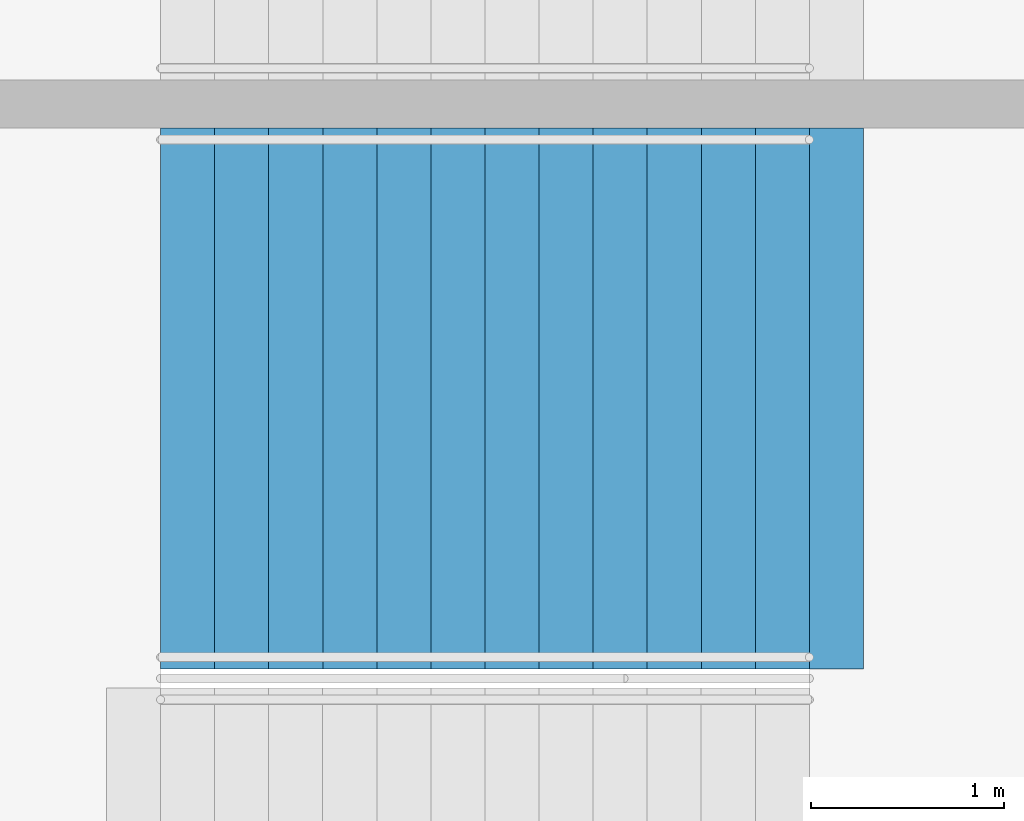
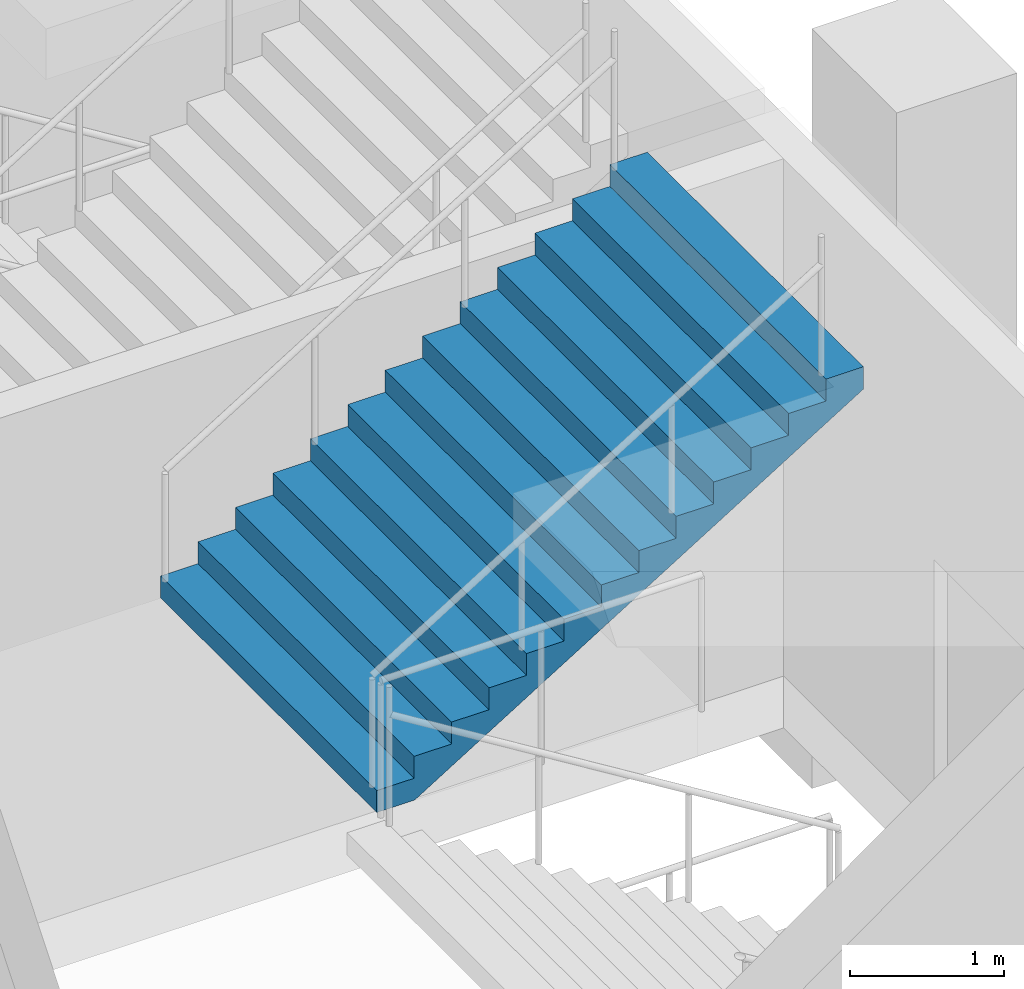
# One storey, part 109 of 177: 1 stair flight, 1 element without a shape of its own.
"""IFC4 building model written with IfcOpenShell, lengths in metres."""

from ifc_helpers import new_model, si_unit, direction, frame, origin, place, context, subcontext, project, spatial, faceted_brep, material, type_object, element, aggregate, save


model = new_model("IFC4")

# Units and contexts
model_context = context("Model", 3, precision=1e-05, world=origin(), true_north=direction((0.0, 1.0)))
body_context = subcontext(model_context, "Body", "Model", "MODEL_VIEW")
ifc_project = project(units=[si_unit("LENGTHUNIT", "METRE"), si_unit("AREAUNIT", "SQUARE_METRE"), si_unit("VOLUMEUNIT", "CUBIC_METRE"), si_unit("PLANEANGLEUNIT", "RADIAN"), si_unit("MASSUNIT", "GRAM", prefix="KILO")], contexts=[model_context])

# Site, building, storey
site_placement = place(None, origin())
site = spatial("IfcSite", under=ifc_project, at=site_placement, CompositionType="ELEMENT")
building_placement = place(site_placement, origin())
building = spatial("IfcBuilding", under=site, at=building_placement, Name="Ogive Plaza Stadium", CompositionType="ELEMENT")
storey_placement = place(building_placement, frame((0.0, 0.0, 18.0)))
storey = spatial("IfcBuildingStorey", under=building, at=storey_placement, Name="L04", CompositionType="ELEMENT", Elevation=18.0)

# Stair, stair flight
ifc_material_1 = material(Name="Concrete C40/50", Category="concrete")
stair_type = type_object("IfcStairType", Name="Exit stair", PredefinedType="STRAIGHT_RUN_STAIR", material=ifc_material_1)
stair_placement = place(storey_placement, origin())
stair = element("IfcStair", 1, at=stair_placement, inside=storey, type_object=stair_type, Name="Exit stair ST24B L04 to L05", PredefinedType="STRAIGHT_RUN_STAIR")
ifc_material_2 = material(Name="Concrete C40/50", Category="concrete")
stair_flight_type = type_object("IfcStairFlightType", Name="Exit stair flight", PredefinedType="STRAIGHT", material=ifc_material_2)
stair_flight_placement = place(storey_placement, frame((-79.7099609375, -9.02490234375, 2.25), z_axis=(0.0, 0.0, 1.0), x_axis=(1.0, 0.0, 0.0)))
stair_flight = element("IfcStairFlight", 2, at=stair_flight_placement, type_object=stair_flight_type, Name="ST24B flight 2", NumberOfRisers=13, NumberOfTreads=12, PredefinedType="STRAIGHT", RiserHeight=0.173076923, TreadLength=0.28, context=body_context, shape_type="Brep", body=[
    faceted_brep([(0.28515625, -1.39990234375, 0.0), (3.639892578125, -1.39990234375, 2.07373046875), (3.639892578125, -1.39990234375, 2.25), (3.360107421875, -1.39990234375, 2.25), (3.360107421875, -1.39990234375, 2.076904296875), (3.080078125, -1.39990234375, 2.076904296875), (3.080078125, -1.39990234375, 1.90380859375), (2.800048828125, -1.39990234375, 1.90380859375), (2.800048828125, -1.39990234375, 1.730712890625), (2.52001953125, -1.39990234375, 1.730712890625), (2.52001953125, -1.39990234375, 1.5576171875), (2.239990234375, -1.39990234375, 1.5576171875), (2.239990234375, -1.39990234375, 1.384521484375), (1.9599609375, -1.39990234375, 1.384521484375), (1.9599609375, -1.39990234375, 1.21142578125), (1.679931640625, -1.39990234375, 1.21142578125), (1.679931640625, -1.39990234375, 1.03857421875), (1.39990234375, -1.39990234375, 1.03857421875), (1.39990234375, -1.39990234375, 0.865478515625), (1.1201171875, -1.39990234375, 0.865478515625), (1.1201171875, -1.39990234375, 0.6923828125), (0.840087890625, -1.39990234375, 0.6923828125), (0.840087890625, -1.39990234375, 0.519287109375), (0.56005859375, -1.39990234375, 0.519287109375), (0.56005859375, -1.39990234375, 0.34619140625), (0.280029296875, -1.39990234375, 0.34619140625), (0.280029296875, -1.39990234375, 0.173095703125), (0.0, -1.39990234375, 0.173095703125), (0.0, -1.39990234375, 0.0), (0.0, 1.39990234375, 0.0), (0.0, 1.39990234375, 0.173095703125), (0.280029296875, 1.39990234375, 0.173095703125), (0.280029296875, 1.39990234375, 0.34619140625), (0.56005859375, 1.39990234375, 0.34619140625), (0.56005859375, 1.39990234375, 0.519287109375), (0.840087890625, 1.39990234375, 0.519287109375), (0.840087890625, 1.39990234375, 0.6923828125), (1.1201171875, 1.39990234375, 0.6923828125), (1.1201171875, 1.39990234375, 0.865478515625), (1.39990234375, 1.39990234375, 0.865478515625), (1.39990234375, 1.39990234375, 1.03857421875), (1.679931640625, 1.39990234375, 1.03857421875), (1.679931640625, 1.39990234375, 1.21142578125), (1.9599609375, 1.39990234375, 1.21142578125), (1.9599609375, 1.39990234375, 1.384521484375), (2.239990234375, 1.39990234375, 1.384521484375), (2.239990234375, 1.39990234375, 1.5576171875), (2.52001953125, 1.39990234375, 1.5576171875), (2.52001953125, 1.39990234375, 1.730712890625), (2.800048828125, 1.39990234375, 1.730712890625), (2.800048828125, 1.39990234375, 1.90380859375), (3.080078125, 1.39990234375, 1.90380859375), (3.080078125, 1.39990234375, 2.076904296875), (3.360107421875, 1.39990234375, 2.076904296875), (3.360107421875, 1.39990234375, 2.25), (3.639892578125, 1.39990234375, 2.25), (3.639892578125, 1.39990234375, 2.07373046875), (0.28515625, 1.39990234375, 0.0), (0.28515625, -1.0888671875, 0.0), (3.639892578125, -1.0888671875, 2.07373046875), (0.28515625, -0.77783203125, 0.0), (3.639892578125, -0.77783203125, 2.07373046875), (0.28515625, -0.466796875, 0.0), (3.639892578125, -0.466796875, 2.07373046875), (0.28515625, -0.155517578125, 0.0), (3.639892578125, -0.155517578125, 2.07373046875), (0.28515625, 0.155517578125, 0.0), (3.639892578125, 0.155517578125, 2.07373046875), (0.28515625, 0.466796875, 0.0), (3.639892578125, 0.466796875, 2.07373046875), (0.28515625, 0.77783203125, 0.0), (3.639892578125, 0.77783203125, 2.07373046875), (0.28515625, 1.0888671875, 0.0), (3.639892578125, 1.0888671875, 2.07373046875), (3.639892578125, -1.0888671875, 2.25), (3.639892578125, -0.77783203125, 2.25), (3.639892578125, -0.466796875, 2.25), (3.639892578125, -0.155517578125, 2.25), (3.639892578125, 0.155517578125, 2.25), (3.639892578125, 0.466796875, 2.25), (3.639892578125, 0.77783203125, 2.25), (3.639892578125, 1.0888671875, 2.25), (3.360107421875, -1.0888671875, 2.25), (3.360107421875, -0.77783203125, 2.25), (3.360107421875, -0.466796875, 2.25), (3.360107421875, -0.155517578125, 2.25), (3.360107421875, 0.155517578125, 2.25), (3.360107421875, 0.466796875, 2.25), (3.360107421875, 0.77783203125, 2.25), (3.360107421875, 1.0888671875, 2.25), (3.360107421875, -1.0888671875, 2.076904296875), (3.360107421875, -0.77783203125, 2.076904296875), (3.360107421875, -0.466796875, 2.076904296875), (3.360107421875, -0.155517578125, 2.076904296875), (3.360107421875, 0.155517578125, 2.076904296875), (3.360107421875, 0.466796875, 2.076904296875), (3.360107421875, 0.77783203125, 2.076904296875), (3.360107421875, 1.0888671875, 2.076904296875), (3.080078125, -1.0888671875, 2.076904296875), (3.080078125, -0.77783203125, 2.076904296875), (3.080078125, -0.466796875, 2.076904296875), (3.080078125, -0.155517578125, 2.076904296875), (3.080078125, 0.155517578125, 2.076904296875), (3.080078125, 0.466796875, 2.076904296875), (3.080078125, 0.77783203125, 2.076904296875), (3.080078125, 1.0888671875, 2.076904296875), (3.080078125, -1.0888671875, 1.90380859375), (3.080078125, -0.77783203125, 1.90380859375), (3.080078125, -0.466796875, 1.90380859375), (3.080078125, -0.155517578125, 1.90380859375), (3.080078125, 0.155517578125, 1.90380859375), (3.080078125, 0.466796875, 1.90380859375), (3.080078125, 0.77783203125, 1.90380859375), (3.080078125, 1.0888671875, 1.90380859375), (2.800048828125, -1.0888671875, 1.90380859375), (2.800048828125, -0.77783203125, 1.90380859375), (2.800048828125, -0.466796875, 1.90380859375), (2.800048828125, -0.155517578125, 1.90380859375), (2.800048828125, 0.155517578125, 1.90380859375), (2.800048828125, 0.466796875, 1.90380859375), (2.800048828125, 0.77783203125, 1.90380859375), (2.800048828125, 1.0888671875, 1.90380859375), (2.800048828125, -1.0888671875, 1.730712890625), (2.800048828125, -0.77783203125, 1.730712890625), (2.800048828125, -0.466796875, 1.730712890625), (2.800048828125, -0.155517578125, 1.730712890625), (2.800048828125, 0.155517578125, 1.730712890625), (2.800048828125, 0.466796875, 1.730712890625), (2.800048828125, 0.77783203125, 1.730712890625), (2.800048828125, 1.0888671875, 1.730712890625), (2.52001953125, -1.0888671875, 1.730712890625), (2.52001953125, -0.77783203125, 1.730712890625), (2.52001953125, -0.466796875, 1.730712890625), (2.52001953125, -0.155517578125, 1.730712890625), (2.52001953125, 0.155517578125, 1.730712890625), (2.52001953125, 0.466796875, 1.730712890625), (2.52001953125, 0.77783203125, 1.730712890625), (2.52001953125, 1.0888671875, 1.730712890625), (2.52001953125, -1.0888671875, 1.5576171875), (2.52001953125, -0.77783203125, 1.5576171875), (2.52001953125, -0.466796875, 1.5576171875), (2.52001953125, -0.155517578125, 1.5576171875), (2.52001953125, 0.155517578125, 1.5576171875), (2.52001953125, 0.466796875, 1.5576171875), (2.52001953125, 0.77783203125, 1.5576171875), (2.52001953125, 1.0888671875, 1.5576171875), (2.239990234375, -1.0888671875, 1.5576171875), (2.239990234375, -0.77783203125, 1.5576171875), (2.239990234375, -0.466796875, 1.5576171875), (2.239990234375, -0.155517578125, 1.5576171875), (2.239990234375, 0.155517578125, 1.5576171875), (2.239990234375, 0.466796875, 1.5576171875), (2.239990234375, 0.77783203125, 1.5576171875), (2.239990234375, 1.0888671875, 1.5576171875), (2.239990234375, -1.0888671875, 1.384521484375), (2.239990234375, -0.77783203125, 1.384521484375), (2.239990234375, -0.466796875, 1.384521484375), (2.239990234375, -0.155517578125, 1.384521484375), (2.239990234375, 0.155517578125, 1.384521484375), (2.239990234375, 0.466796875, 1.384521484375), (2.239990234375, 0.77783203125, 1.384521484375), (2.239990234375, 1.0888671875, 1.384521484375), (1.9599609375, -1.0888671875, 1.384521484375), (1.9599609375, -0.77783203125, 1.384521484375), (1.9599609375, -0.466796875, 1.384521484375), (1.9599609375, -0.155517578125, 1.384521484375), (1.9599609375, 0.155517578125, 1.384521484375), (1.9599609375, 0.466796875, 1.384521484375), (1.9599609375, 0.77783203125, 1.384521484375), (1.9599609375, 1.0888671875, 1.384521484375), (1.9599609375, -1.0888671875, 1.21142578125), (1.9599609375, -0.77783203125, 1.21142578125), (1.9599609375, -0.466796875, 1.21142578125), (1.9599609375, -0.155517578125, 1.21142578125), (1.9599609375, 0.155517578125, 1.21142578125), (1.9599609375, 0.466796875, 1.21142578125), (1.9599609375, 0.77783203125, 1.21142578125), (1.9599609375, 1.0888671875, 1.21142578125), (1.679931640625, -1.0888671875, 1.21142578125), (1.679931640625, -0.77783203125, 1.21142578125), (1.679931640625, -0.466796875, 1.21142578125), (1.679931640625, -0.155517578125, 1.21142578125), (1.679931640625, 0.155517578125, 1.21142578125), (1.679931640625, 0.466796875, 1.21142578125), (1.679931640625, 0.77783203125, 1.21142578125), (1.679931640625, 1.0888671875, 1.21142578125), (1.679931640625, -1.0888671875, 1.03857421875), (1.679931640625, -0.77783203125, 1.03857421875), (1.679931640625, -0.466796875, 1.03857421875), (1.679931640625, -0.155517578125, 1.03857421875), (1.679931640625, 0.155517578125, 1.03857421875), (1.679931640625, 0.466796875, 1.03857421875), (1.679931640625, 0.77783203125, 1.03857421875), (1.679931640625, 1.0888671875, 1.03857421875), (1.39990234375, -1.0888671875, 1.03857421875), (1.39990234375, -0.77783203125, 1.03857421875), (1.39990234375, -0.466796875, 1.03857421875), (1.39990234375, -0.155517578125, 1.03857421875), (1.39990234375, 0.155517578125, 1.03857421875), (1.39990234375, 0.466796875, 1.03857421875), (1.39990234375, 0.77783203125, 1.03857421875), (1.39990234375, 1.0888671875, 1.03857421875), (1.39990234375, -1.0888671875, 0.865478515625), (1.39990234375, -0.77783203125, 0.865478515625), (1.39990234375, -0.466796875, 0.865478515625), (1.39990234375, -0.155517578125, 0.865478515625), (1.39990234375, 0.155517578125, 0.865478515625), (1.39990234375, 0.466796875, 0.865478515625), (1.39990234375, 0.77783203125, 0.865478515625), (1.39990234375, 1.0888671875, 0.865478515625), (1.1201171875, -1.0888671875, 0.865478515625), (1.1201171875, -0.77783203125, 0.865478515625), (1.1201171875, -0.466796875, 0.865478515625), (1.1201171875, -0.155517578125, 0.865478515625), (1.1201171875, 0.155517578125, 0.865478515625), (1.1201171875, 0.466796875, 0.865478515625), (1.1201171875, 0.77783203125, 0.865478515625), (1.1201171875, 1.0888671875, 0.865478515625), (1.1201171875, -1.0888671875, 0.6923828125), (1.1201171875, -0.77783203125, 0.6923828125), (1.1201171875, -0.466796875, 0.6923828125), (1.1201171875, -0.155517578125, 0.6923828125), (1.1201171875, 0.155517578125, 0.6923828125), (1.1201171875, 0.466796875, 0.6923828125), (1.1201171875, 0.77783203125, 0.6923828125), (1.1201171875, 1.0888671875, 0.6923828125), (0.840087890625, -1.0888671875, 0.6923828125), (0.840087890625, -0.77783203125, 0.6923828125), (0.840087890625, -0.466796875, 0.6923828125), (0.840087890625, -0.155517578125, 0.6923828125), (0.840087890625, 0.155517578125, 0.6923828125), (0.840087890625, 0.466796875, 0.6923828125), (0.840087890625, 0.77783203125, 0.6923828125), (0.840087890625, 1.0888671875, 0.6923828125), (0.840087890625, -1.0888671875, 0.519287109375), (0.840087890625, -0.77783203125, 0.519287109375), (0.840087890625, -0.466796875, 0.519287109375), (0.840087890625, -0.155517578125, 0.519287109375), (0.840087890625, 0.155517578125, 0.519287109375), (0.840087890625, 0.466796875, 0.519287109375), (0.840087890625, 0.77783203125, 0.519287109375), (0.840087890625, 1.0888671875, 0.519287109375), (0.56005859375, -1.0888671875, 0.519287109375), (0.56005859375, -0.77783203125, 0.519287109375), (0.56005859375, -0.466796875, 0.519287109375), (0.56005859375, -0.155517578125, 0.519287109375), (0.56005859375, 0.155517578125, 0.519287109375), (0.56005859375, 0.466796875, 0.519287109375), (0.56005859375, 0.77783203125, 0.519287109375), (0.56005859375, 1.0888671875, 0.519287109375), (0.56005859375, -1.0888671875, 0.34619140625), (0.56005859375, -0.77783203125, 0.34619140625), (0.56005859375, -0.466796875, 0.34619140625), (0.56005859375, -0.155517578125, 0.34619140625), (0.56005859375, 0.155517578125, 0.34619140625), (0.56005859375, 0.466796875, 0.34619140625), (0.56005859375, 0.77783203125, 0.34619140625), (0.56005859375, 1.0888671875, 0.34619140625), (0.280029296875, -1.0888671875, 0.34619140625), (0.280029296875, -0.77783203125, 0.34619140625), (0.280029296875, -0.466796875, 0.34619140625), (0.280029296875, -0.155517578125, 0.34619140625), (0.280029296875, 0.155517578125, 0.34619140625), (0.280029296875, 0.466796875, 0.34619140625), (0.280029296875, 0.77783203125, 0.34619140625), (0.280029296875, 1.0888671875, 0.34619140625), (0.280029296875, -1.0888671875, 0.173095703125), (0.280029296875, -0.77783203125, 0.173095703125), (0.280029296875, -0.466796875, 0.173095703125), (0.280029296875, -0.155517578125, 0.173095703125), (0.280029296875, 0.155517578125, 0.173095703125), (0.280029296875, 0.466796875, 0.173095703125), (0.280029296875, 0.77783203125, 0.173095703125), (0.280029296875, 1.0888671875, 0.173095703125), (0.0, -1.0888671875, 0.173095703125), (0.0, -0.77783203125, 0.173095703125), (0.0, -0.466796875, 0.173095703125), (0.0, -0.155517578125, 0.173095703125), (0.0, 0.155517578125, 0.173095703125), (0.0, 0.466796875, 0.173095703125), (0.0, 0.77783203125, 0.173095703125), (0.0, 1.0888671875, 0.173095703125), (0.0, -1.0888671875, 0.0), (0.0, -0.77783203125, 0.0), (0.0, -0.466796875, 0.0), (0.0, -0.155517578125, 0.0), (0.0, 0.155517578125, 0.0), (0.0, 0.466796875, 0.0), (0.0, 0.77783203125, 0.0), (0.0, 1.0888671875, 0.0)], [[[0, 1, 2, 3, 4, 5, 6, 7, 8, 9, 10, 11, 12, 13, 14, 15, 16, 17, 18, 19, 20, 21, 22, 23, 24, 25, 26, 27, 28]], [[29, 30, 31, 32, 33, 34, 35, 36, 37, 38, 39, 40, 41, 42, 43, 44, 45, 46, 47, 48, 49, 50, 51, 52, 53, 54, 55, 56, 57]], [[0, 58, 59, 1]], [[58, 60, 61, 59]], [[60, 62, 63, 61]], [[62, 64, 65, 63]], [[64, 66, 67, 65]], [[66, 68, 69, 67]], [[68, 70, 71, 69]], [[70, 72, 73, 71]], [[72, 57, 56, 73]], [[1, 59, 74, 2]], [[59, 61, 75, 74]], [[61, 63, 76, 75]], [[63, 65, 77, 76]], [[65, 67, 78, 77]], [[67, 69, 79, 78]], [[69, 71, 80, 79]], [[71, 73, 81, 80]], [[73, 56, 55, 81]], [[2, 74, 82, 3]], [[74, 75, 83, 82]], [[75, 76, 84, 83]], [[76, 77, 85, 84]], [[77, 78, 86, 85]], [[78, 79, 87, 86]], [[79, 80, 88, 87]], [[80, 81, 89, 88]], [[81, 55, 54, 89]], [[3, 82, 90, 4]], [[82, 83, 91, 90]], [[83, 84, 92, 91]], [[84, 85, 93, 92]], [[85, 86, 94, 93]], [[86, 87, 95, 94]], [[87, 88, 96, 95]], [[88, 89, 97, 96]], [[89, 54, 53, 97]], [[4, 90, 98, 5]], [[90, 91, 99, 98]], [[91, 92, 100, 99]], [[92, 93, 101, 100]], [[93, 94, 102, 101]], [[94, 95, 103, 102]], [[95, 96, 104, 103]], [[96, 97, 105, 104]], [[97, 53, 52, 105]], [[5, 98, 106, 6]], [[98, 99, 107, 106]], [[99, 100, 108, 107]], [[100, 101, 109, 108]], [[101, 102, 110, 109]], [[102, 103, 111, 110]], [[103, 104, 112, 111]], [[104, 105, 113, 112]], [[105, 52, 51, 113]], [[6, 106, 114, 7]], [[106, 107, 115, 114]], [[107, 108, 116, 115]], [[108, 109, 117, 116]], [[109, 110, 118, 117]], [[110, 111, 119, 118]], [[111, 112, 120, 119]], [[112, 113, 121, 120]], [[113, 51, 50, 121]], [[7, 114, 122, 8]], [[114, 115, 123, 122]], [[115, 116, 124, 123]], [[116, 117, 125, 124]], [[117, 118, 126, 125]], [[118, 119, 127, 126]], [[119, 120, 128, 127]], [[120, 121, 129, 128]], [[121, 50, 49, 129]], [[8, 122, 130, 9]], [[122, 123, 131, 130]], [[123, 124, 132, 131]], [[124, 125, 133, 132]], [[125, 126, 134, 133]], [[126, 127, 135, 134]], [[127, 128, 136, 135]], [[128, 129, 137, 136]], [[129, 49, 48, 137]], [[9, 130, 138, 10]], [[130, 131, 139, 138]], [[131, 132, 140, 139]], [[132, 133, 141, 140]], [[133, 134, 142, 141]], [[134, 135, 143, 142]], [[135, 136, 144, 143]], [[136, 137, 145, 144]], [[137, 48, 47, 145]], [[10, 138, 146, 11]], [[138, 139, 147, 146]], [[139, 140, 148, 147]], [[140, 141, 149, 148]], [[141, 142, 150, 149]], [[142, 143, 151, 150]], [[143, 144, 152, 151]], [[144, 145, 153, 152]], [[145, 47, 46, 153]], [[11, 146, 154, 12]], [[146, 147, 155, 154]], [[147, 148, 156, 155]], [[148, 149, 157, 156]], [[149, 150, 158, 157]], [[150, 151, 159, 158]], [[151, 152, 160, 159]], [[152, 153, 161, 160]], [[153, 46, 45, 161]], [[12, 154, 162, 13]], [[154, 155, 163, 162]], [[155, 156, 164, 163]], [[156, 157, 165, 164]], [[157, 158, 166, 165]], [[158, 159, 167, 166]], [[159, 160, 168, 167]], [[160, 161, 169, 168]], [[161, 45, 44, 169]], [[13, 162, 170, 14]], [[162, 163, 171, 170]], [[163, 164, 172, 171]], [[164, 165, 173, 172]], [[165, 166, 174, 173]], [[166, 167, 175, 174]], [[167, 168, 176, 175]], [[168, 169, 177, 176]], [[169, 44, 43, 177]], [[14, 170, 178, 15]], [[170, 171, 179, 178]], [[171, 172, 180, 179]], [[172, 173, 181, 180]], [[173, 174, 182, 181]], [[174, 175, 183, 182]], [[175, 176, 184, 183]], [[176, 177, 185, 184]], [[177, 43, 42, 185]], [[15, 178, 186, 16]], [[178, 179, 187, 186]], [[179, 180, 188, 187]], [[180, 181, 189, 188]], [[181, 182, 190, 189]], [[182, 183, 191, 190]], [[183, 184, 192, 191]], [[184, 185, 193, 192]], [[185, 42, 41, 193]], [[16, 186, 194, 17]], [[186, 187, 195, 194]], [[187, 188, 196, 195]], [[188, 189, 197, 196]], [[189, 190, 198, 197]], [[190, 191, 199, 198]], [[191, 192, 200, 199]], [[192, 193, 201, 200]], [[193, 41, 40, 201]], [[17, 194, 202, 18]], [[194, 195, 203, 202]], [[195, 196, 204, 203]], [[196, 197, 205, 204]], [[197, 198, 206, 205]], [[198, 199, 207, 206]], [[199, 200, 208, 207]], [[200, 201, 209, 208]], [[201, 40, 39, 209]], [[18, 202, 210, 19]], [[202, 203, 211, 210]], [[203, 204, 212, 211]], [[204, 205, 213, 212]], [[205, 206, 214, 213]], [[206, 207, 215, 214]], [[207, 208, 216, 215]], [[208, 209, 217, 216]], [[209, 39, 38, 217]], [[19, 210, 218, 20]], [[210, 211, 219, 218]], [[211, 212, 220, 219]], [[212, 213, 221, 220]], [[213, 214, 222, 221]], [[214, 215, 223, 222]], [[215, 216, 224, 223]], [[216, 217, 225, 224]], [[217, 38, 37, 225]], [[20, 218, 226, 21]], [[218, 219, 227, 226]], [[219, 220, 228, 227]], [[220, 221, 229, 228]], [[221, 222, 230, 229]], [[222, 223, 231, 230]], [[223, 224, 232, 231]], [[224, 225, 233, 232]], [[225, 37, 36, 233]], [[21, 226, 234, 22]], [[226, 227, 235, 234]], [[227, 228, 236, 235]], [[228, 229, 237, 236]], [[229, 230, 238, 237]], [[230, 231, 239, 238]], [[231, 232, 240, 239]], [[232, 233, 241, 240]], [[233, 36, 35, 241]], [[22, 234, 242, 23]], [[234, 235, 243, 242]], [[235, 236, 244, 243]], [[236, 237, 245, 244]], [[237, 238, 246, 245]], [[238, 239, 247, 246]], [[239, 240, 248, 247]], [[240, 241, 249, 248]], [[241, 35, 34, 249]], [[23, 242, 250, 24]], [[242, 243, 251, 250]], [[243, 244, 252, 251]], [[244, 245, 253, 252]], [[245, 246, 254, 253]], [[246, 247, 255, 254]], [[247, 248, 256, 255]], [[248, 249, 257, 256]], [[249, 34, 33, 257]], [[24, 250, 258, 25]], [[250, 251, 259, 258]], [[251, 252, 260, 259]], [[252, 253, 261, 260]], [[253, 254, 262, 261]], [[254, 255, 263, 262]], [[255, 256, 264, 263]], [[256, 257, 265, 264]], [[257, 33, 32, 265]], [[25, 258, 266, 26]], [[258, 259, 267, 266]], [[259, 260, 268, 267]], [[260, 261, 269, 268]], [[261, 262, 270, 269]], [[262, 263, 271, 270]], [[263, 264, 272, 271]], [[264, 265, 273, 272]], [[265, 32, 31, 273]], [[26, 266, 274, 27]], [[266, 267, 275, 274]], [[267, 268, 276, 275]], [[268, 269, 277, 276]], [[269, 270, 278, 277]], [[270, 271, 279, 278]], [[271, 272, 280, 279]], [[272, 273, 281, 280]], [[273, 31, 30, 281]], [[27, 274, 282, 28]], [[274, 275, 283, 282]], [[275, 276, 284, 283]], [[276, 277, 285, 284]], [[277, 278, 286, 285]], [[278, 279, 287, 286]], [[279, 280, 288, 287]], [[280, 281, 289, 288]], [[281, 30, 29, 289]], [[28, 282, 58, 0]], [[282, 283, 60, 58]], [[283, 284, 62, 60]], [[284, 285, 64, 62]], [[285, 286, 66, 64]], [[286, 287, 68, 66]], [[287, 288, 70, 68]], [[288, 289, 72, 70]], [[289, 29, 57, 72]]]),
])
aggregate(stair, [stair_flight])

save(model, "model.ifc")
